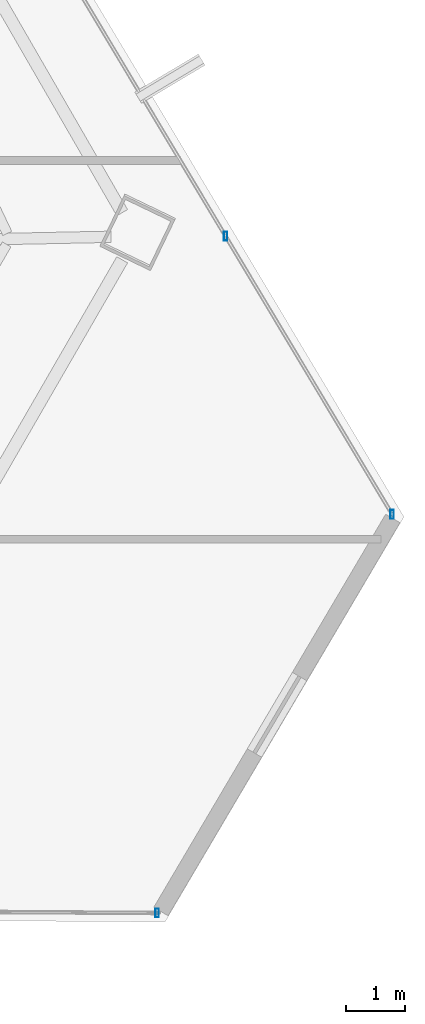
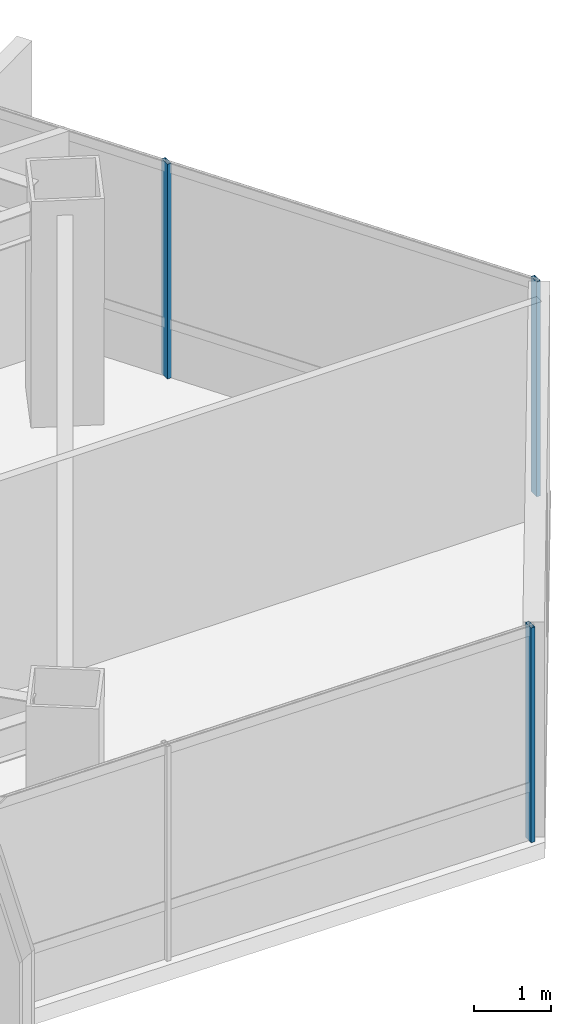
# One storey, part 21 of 41: 3 members, 2 elements without a shape of their own.
"""IFC4 building model written with IfcOpenShell, lengths in metres."""

from ifc_helpers import new_model, si_unit, direction, frame, origin, origin_2d, place, context, subcontext, project, spatial, hollow_rectangle, extrude, source, transform, mapped, material, material_profile, profile_set, type_object, type_shapes, element, aggregate, save


model = new_model("IFC4")

# Units and contexts
model_context = context("Model", 3, precision=1e-05, world=origin(), true_north=direction((0.0, 1.0)))
body_context = subcontext(model_context, "Body", "Model", "MODEL_VIEW")
ifc_project = project(units=[si_unit("LENGTHUNIT", "METRE"), si_unit("AREAUNIT", "SQUARE_METRE"), si_unit("VOLUMEUNIT", "CUBIC_METRE"), si_unit("PLANEANGLEUNIT", "RADIAN"), si_unit("MASSUNIT", "GRAM", prefix="KILO")], contexts=[model_context])

# Site, building, storey
site_placement = place(None, origin())
site = spatial("IfcSite", under=ifc_project, at=site_placement, CompositionType="ELEMENT")
building_placement = place(site_placement, origin())
building = spatial("IfcBuilding", under=site, at=building_placement, Name="Caelisora Broadcast Tower", CompositionType="ELEMENT")
storey_placement = place(building_placement, frame((0.0, 0.0, 173.10009765625)))
storey = spatial("IfcBuildingStorey", under=building, at=storey_placement, Name="L45", CompositionType="ELEMENT", Elevation=173.10009765625)

# Curtain wall, members
ifc_material_1 = material(Name="Unitised Aluminium and Low-E Glass Curtain Wall", Category="glass")
curtain_wall_type = type_object("IfcCurtainWallType", Name="CW-Z3", PredefinedType="NOTDEFINED", material=ifc_material_1)
curtain_wall_1_placement = place(storey_placement, origin())
curtain_wall_1 = element("IfcCurtainWall", 1, at=curtain_wall_1_placement, inside=storey, type_object=curtain_wall_type, Name="L45 curtain wall CW-Z3", PredefinedType="NOTDEFINED")
ifc_material_2 = material(Name="Aluminium 6063-T6 Anodised Terracotta Bronze", Category="aluminium")
ifc_material_profile = material_profile(ifc_material_2, hollow_rectangle(XDim=0.06005859375, YDim=0.14990234375, WallThickness=0.00341796875, at=origin_2d()), Name="Aluminium 6063-T6 Anodised Terracotta Bronze")
ifc_profile_set = profile_set([ifc_material_profile], Name="Aluminium 6063-T6 Anodised Terracotta Bronze")
member_type = type_object("IfcMemberType", Name="CWM-03", PredefinedType="MULLION", material=ifc_profile_set)
shared_shape = source(origin(), body_context, "Body", "SweptSolid", [
    extrude(hollow_rectangle(XDim=0.06005859375, YDim=0.14990234375, WallThickness=0.00341796875, at=origin_2d()), origin(), (0.0, 0.0, 1.0), 3.39990234375),
])
type_shapes(member_type, [shared_shape])
member_1_placement = place(storey_placement, frame((61.906982421875, 17.712158203125, 0.0), z_axis=(0.0, 0.0, 1.0), x_axis=(1.0, 0.0, 0.0)))
member_1 = element("IfcMember", 2, at=member_1_placement, type_object=member_type, Name="L45-CW-B03 mullion #2", PredefinedType="MULLION", context=body_context, shape_type="MappedRepresentation", body=[
    mapped(shared_shape, transform((0.0, 0.0, 0.0), scale=1.0)),
])
member_2_placement = place(storey_placement, frame((64.72119140625, 13.011962890625, 0.0), z_axis=(0.0, 0.0, 1.0), x_axis=(1.0, 0.0, 0.0)))
member_2 = element("IfcMember", 3, at=member_2_placement, type_object=member_type, Name="L45-CW-B03 mullion #3", PredefinedType="MULLION", context=body_context, shape_type="MappedRepresentation", body=[
    mapped(shared_shape, transform((0.0, 0.0, 0.0), scale=1.0)),
])
aggregate(curtain_wall_1, [member_1, member_2])

# Curtain wall, member
curtain_wall_2_placement = place(storey_placement, origin())
curtain_wall_2 = element("IfcCurtainWall", 4, at=curtain_wall_2_placement, inside=storey, type_object=curtain_wall_type, Name="L45 curtain wall CW-Z3", PredefinedType="NOTDEFINED")
member_3_placement = place(storey_placement, frame((60.75, 6.2783203125, 0.0), z_axis=(0.0, 0.0, 1.0), x_axis=(1.0, 0.0, 0.0)))
member_3 = element("IfcMember", 5, at=member_3_placement, type_object=member_type, Name="L45-CW-B05 mullion #0", PredefinedType="MULLION", context=body_context, shape_type="MappedRepresentation", body=[
    mapped(shared_shape, transform((0.0, 0.0, 0.0), scale=1.0)),
])
aggregate(curtain_wall_2, [member_3])

save(model, "model.ifc")
